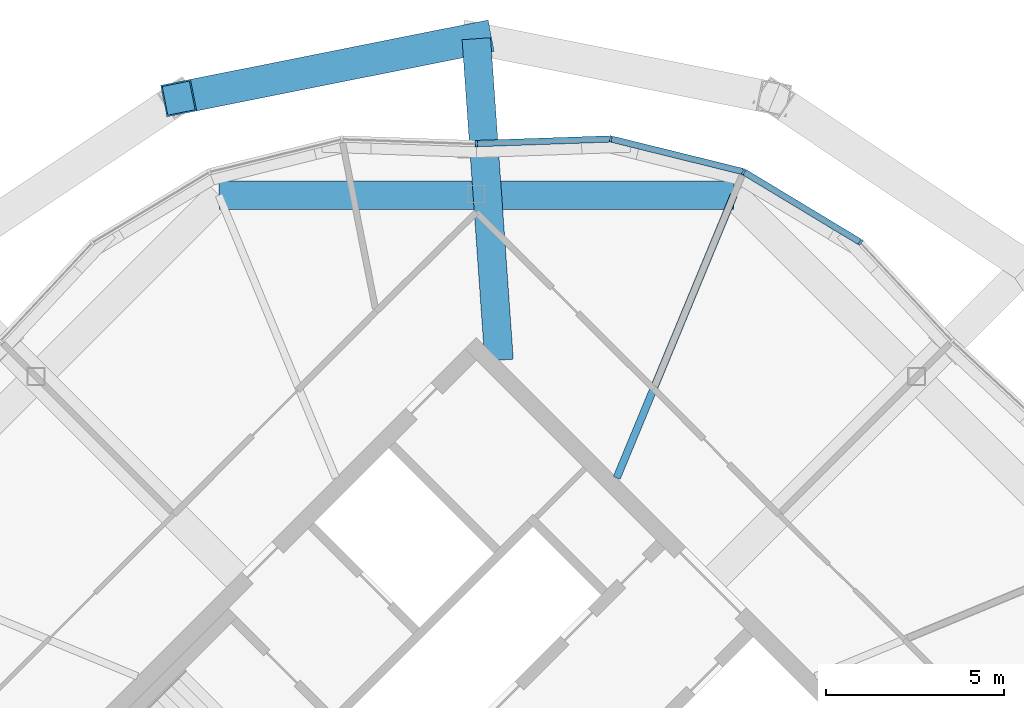
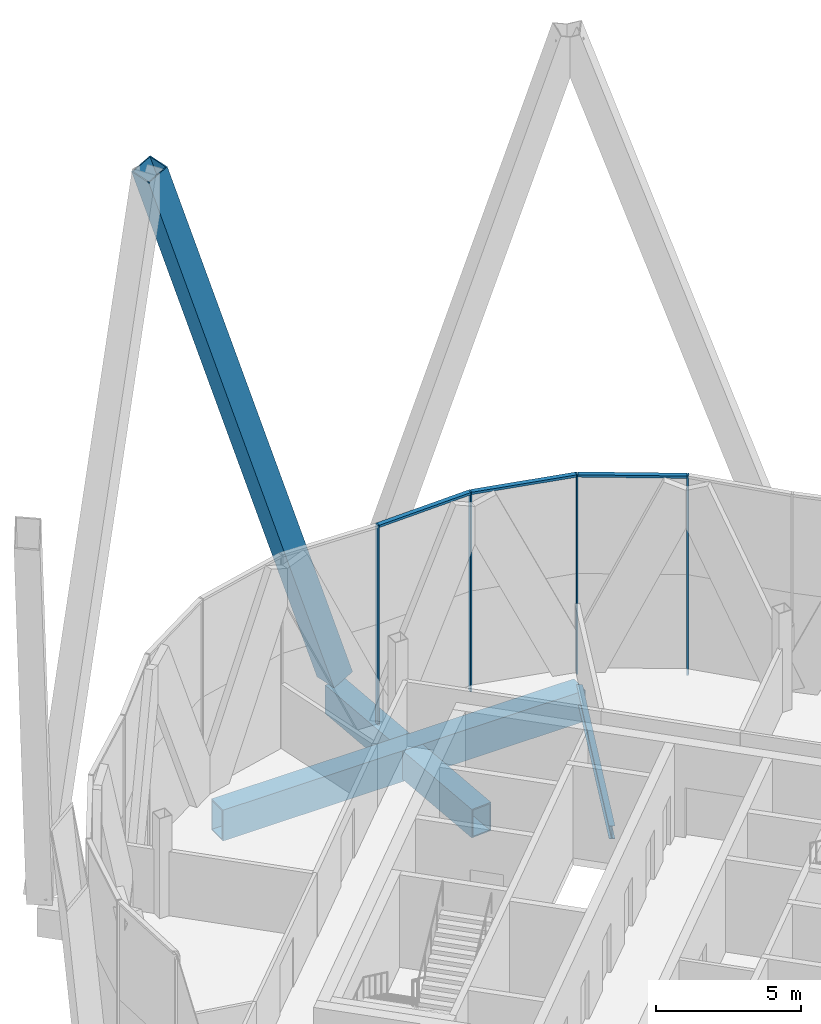
# One storey, part 23 of 38: 8 members, 3 beams, 1 element without a shape of its own.
"""IFC4 building model written with IfcOpenShell, lengths in metres."""

from ifc_helpers import new_model, si_unit, direction, frame, origin, origin_2d, place, context, subcontext, project, spatial, rectangle, hollow_rectangle, i_section, extrude, material, material_profile, profile_set, type_object, element, aggregate, save


model = new_model("IFC4")

# Units and contexts
model_context = context("Model", 3, precision=1e-05, world=origin(), true_north=direction((0.0, 1.0)))
body_context = subcontext(model_context, "Body", "Model", "MODEL_VIEW")
ifc_project = project(units=[si_unit("LENGTHUNIT", "METRE"), si_unit("AREAUNIT", "SQUARE_METRE"), si_unit("VOLUMEUNIT", "CUBIC_METRE"), si_unit("PLANEANGLEUNIT", "RADIAN"), si_unit("MASSUNIT", "GRAM", prefix="KILO")], contexts=[model_context])

# Site, building, storey
site_placement = place(None, origin())
site = spatial("IfcSite", under=ifc_project, at=site_placement, CompositionType="ELEMENT")
building_placement = place(site_placement, origin())
building = spatial("IfcBuilding", under=site, at=building_placement, Name="Ogive Gate Towers", CompositionType="ELEMENT")
storey_placement = place(building_placement, frame((0.0, 0.0, 268.800048828125)))
storey = spatial("IfcBuildingStorey", under=building, at=storey_placement, Name="L63", CompositionType="ELEMENT", Elevation=268.800048828125)

# Member
ifc_material_1 = material(Name="Steel SM460", Category="steel")
ifc_material_profile_1 = material_profile(ifc_material_1, hollow_rectangle(XDim=0.89990234375, YDim=0.89990234375, WallThickness=0.0400390625, at=origin_2d()), Name="BX 900x900x40")
ifc_profile_set_1 = profile_set([ifc_material_profile_1], Name="Steel SM460")
member_type_1 = type_object("IfcMemberType", Name="Diagrid diagonal BX 900x900x40", PredefinedType="BRACE", material=ifc_profile_set_1)
member_1_placement = place(storey_placement, frame((36.0, 21.81005859375, 0.0), z_axis=(-0.313729069492, -0.062591606684, 0.947447287045), x_axis=(0.195652622636, -0.980673264271, 0.0)))
element("IfcMember", 1, at=member_1_placement, inside=storey, type_object=member_type_1, Name="T2/L63/SDG006", PredefinedType="BRACE", context=body_context, shape_type="SweptSolid", body=[
    extrude(hollow_rectangle(XDim=0.89990234375, YDim=0.89990234375, WallThickness=0.0400390625, at=origin_2d()), origin(), (0.0, 0.0, 1.0), 26.59765625),
])

# Beams
ifc_material_profile_2 = material_profile(ifc_material_1, hollow_rectangle(XDim=0.800048828125, YDim=1.300048828125, WallThickness=0.050048828125, at=origin_2d()), Name="BX 1300x800x50")
ifc_profile_set_2 = profile_set([ifc_material_profile_2], Name="Steel SM460")
beam_type_1 = type_object("IfcBeamType", Name="Edge girder BX 1300x800x50", PredefinedType="BEAM", material=ifc_profile_set_2)
beam_1_placement = place(storey_placement, frame((43.217529296875, 17.42431640625, -0.949951171875), z_axis=(-1.0, 0.0, 0.0), x_axis=(0.0, -1.0, 0.0)))
element("IfcBeam", 2, at=beam_1_placement, inside=storey, type_object=beam_type_1, Name="T2/L63/SBM022", PredefinedType="BEAM", context=body_context, shape_type="SweptSolid", body=[
    extrude(hollow_rectangle(XDim=0.800048828125, YDim=1.300048828125, WallThickness=0.050048828125, at=origin_2d()), origin(), (0.0, 0.0, 1.0), 14.43505859375),
])
ifc_material_2 = material(Name="Steel SM355", Category="steel")
ifc_material_profile_3 = material_profile(ifc_material_2, i_section(OverallWidth=0.2099609375, OverallDepth=0.550048828125, WebThickness=0.010986328125, FlangeThickness=0.01708984375, FilletRadius=0.02392578125, at=origin_2d()), Name="IPE 550")
ifc_profile_set_3 = profile_set([ifc_material_profile_3], Name="Steel SM355")
beam_type_2 = type_object("IfcBeamType", Name="Radial floor beam IPE 550", PredefinedType="BEAM", material=ifc_profile_set_3)
beam_2_placement = place(storey_placement, frame((39.93505859375, 9.5, -0.574951171875), z_axis=(0.382694515667, 0.923874941579, 0.0), x_axis=(-0.923874941579, 0.382694515667, 0.0)))
element("IfcBeam", 3, at=beam_2_placement, inside=storey, type_object=beam_type_2, Name="T2/L63/SBM011", PredefinedType="BEAM", context=body_context, shape_type="SweptSolid", body=[
    extrude(i_section(OverallWidth=0.2099609375, OverallDepth=0.550048828125, WebThickness=0.010986328125, FlangeThickness=0.01708984375, FilletRadius=0.02392578125, at=origin_2d()), origin(), (0.0, 0.0, 1.0), 8.5771484375),
])

# Curtain wall, members
ifc_material_3 = material(Name="Pale metal aluminium", Category="aluminium")
curtain_wall_type = type_object("IfcCurtainWallType", Name="Tower unitised wall, high zone", PredefinedType="NOTDEFINED", material=ifc_material_3)
curtain_wall_placement = place(storey_placement, origin())
curtain_wall = element("IfcCurtainWall", 4, at=curtain_wall_placement, inside=storey, type_object=curtain_wall_type, Name="CW2 T2 ECW04", PredefinedType="NOTDEFINED")
ifc_material_profile_4 = material_profile(ifc_material_3, rectangle(XDim=0.179931640625, YDim=0.06005859375, at=origin_2d()), Name="60 x 180 aluminium box")
ifc_profile_set_4 = profile_set([ifc_material_profile_4], Name="Pale metal aluminium")
member_type_2 = type_object("IfcMemberType", Name="Tower unitised wall, high zone mullion 60 x 180", PredefinedType="MULLION", material=ifc_profile_set_4)
member_2_placement = place(storey_placement, frame((35.999755859375, 18.8701171875, -0.300048828125), z_axis=(0.0, 0.0, 1.0), x_axis=(0.034533198497, -0.999403551225, 0.0)))
member_2 = element("IfcMember", 5, at=member_2_placement, type_object=member_type_2, Name="CW2 mullion", PredefinedType="MULLION", context=body_context, shape_type="SweptSolid", body=[
    extrude(rectangle(XDim=0.179931640625, YDim=0.06005859375, at=origin_2d()), origin(), (0.0, 0.0, 1.0), 8.39990234375),
])
member_3_placement = place(storey_placement, frame((39.768798828125, 19.000244140625, -0.300048828125), z_axis=(0.0, 0.0, 1.0), x_axis=(-0.103608461555, -0.994618161253, 0.0)))
member_3 = element("IfcMember", 6, at=member_3_placement, type_object=member_type_2, Name="CW2 mullion", PredefinedType="MULLION", context=body_context, shape_type="SweptSolid", body=[
    extrude(rectangle(XDim=0.179931640625, YDim=0.06005859375, at=origin_2d()), origin(), (0.0, 0.0, 1.0), 8.39990234375),
])
member_4_placement = place(storey_placement, frame((43.489501953125, 18.081298828125, -0.300048828125), z_axis=(0.0, 0.0, 1.0), x_axis=(-0.382683432365, -0.923879532511, 0.0)))
member_4 = element("IfcMember", 7, at=member_4_placement, type_object=member_type_2, Name="CW2 mullion", PredefinedType="MULLION", context=body_context, shape_type="SweptSolid", body=[
    extrude(rectangle(XDim=0.179931640625, YDim=0.06005859375, at=origin_2d()), origin(), (0.0, 0.0, 1.0), 8.39990234375),
])
member_5_placement = place(storey_placement, frame((46.770263671875, 16.100341796875, -0.300048828125), z_axis=(0.0, 0.0, 1.0), x_axis=(-0.630039000759, -0.776563492267, 0.0)))
member_5 = element("IfcMember", 8, at=member_5_placement, type_object=member_type_2, Name="CW2 mullion", PredefinedType="MULLION", context=body_context, shape_type="SweptSolid", body=[
    extrude(rectangle(XDim=0.179931640625, YDim=0.06005859375, at=origin_2d()), origin(), (0.0, 0.0, 1.0), 8.39990234375),
])
ifc_material_profile_5 = material_profile(ifc_material_3, rectangle(XDim=0.179931640625, YDim=0.10009765625, at=origin_2d()), Name="100 x 180 aluminium box")
ifc_profile_set_5 = profile_set([ifc_material_profile_5], Name="Pale metal aluminium")
member_type_3 = type_object("IfcMemberType", Name="Tower unitised wall, high zone transom 100 x 180", PredefinedType="USERDEFINED", material=ifc_profile_set_5)
member_6_placement = place(storey_placement, frame((36.029541015625, 18.87109375, 8.050048828125), z_axis=(0.999403104292, 0.034546130482, 0.0), x_axis=(-0.034546130482, 0.999403104292, 0.0)))
member_6 = element("IfcMember", 9, at=member_6_placement, type_object=member_type_3, Name="CW2 transom", ObjectType="TRANSOM", PredefinedType="USERDEFINED", context=body_context, shape_type="SweptSolid", body=[
    extrude(rectangle(XDim=0.179931640625, YDim=0.10009765625, at=origin_2d()), origin(), (0.0, 0.0, 1.0), 3.710205078125),
])
member_7_placement = place(storey_placement, frame((39.79931640625, 18.992919921875, 8.050048828125), z_axis=(0.9708319054, -0.239761155023, 0.0), x_axis=(0.239761155023, 0.9708319054, 0.0)))
member_7 = element("IfcMember", 10, at=member_7_placement, type_object=member_type_3, Name="CW2 transom", ObjectType="TRANSOM", PredefinedType="USERDEFINED", context=body_context, shape_type="SweptSolid", body=[
    extrude(rectangle(XDim=0.179931640625, YDim=0.10009765625, at=origin_2d()), origin(), (0.0, 0.0, 1.0), 3.76953125),
])
member_8_placement = place(storey_placement, frame((43.5166015625, 18.065185546875, 8.050048828125), z_axis=(0.85603794894, -0.516912981046, 0.0), x_axis=(0.516912981046, 0.85603794894, 0.0)))
member_8 = element("IfcMember", 11, at=member_8_placement, type_object=member_type_3, Name="CW2 transom", ObjectType="TRANSOM", PredefinedType="USERDEFINED", context=body_context, shape_type="SweptSolid", body=[
    extrude(rectangle(XDim=0.179931640625, YDim=0.10009765625, at=origin_2d()), origin(), (0.0, 0.0, 1.0), 3.76953125),
])
aggregate(curtain_wall, [member_2, member_3, member_6, member_4, member_7, member_5, member_8])

# Beam
ifc_material_profile_6 = material_profile(ifc_material_1, hollow_rectangle(XDim=0.800048828125, YDim=1.199951171875, WallThickness=0.050048828125, at=origin_2d()), Name="BX 1200x800x50")
ifc_profile_set_6 = profile_set([ifc_material_profile_6], Name="Steel SM460")
beam_type_3 = type_object("IfcBeamType", Name="Transfer radial beam BX 1200x800x50", PredefinedType="BEAM", material=ifc_profile_set_6)
beam_3_placement = place(storey_placement, frame((36.636474609375, 12.798583984375, -0.900146484375), z_axis=(-0.070453840617, 0.99751504066, 0.0), x_axis=(-0.99751504066, -0.070453840617, 0.0)))
element("IfcBeam", 12, at=beam_3_placement, inside=storey, type_object=beam_type_3, Name="T2/L63/SBM012", PredefinedType="BEAM", context=body_context, shape_type="SweptSolid", body=[
    extrude(hollow_rectangle(XDim=0.800048828125, YDim=1.199951171875, WallThickness=0.050048828125, at=origin_2d()), origin(), (0.0, 0.0, 1.0), 9.033935546875),
])

save(model, "model.ifc")
